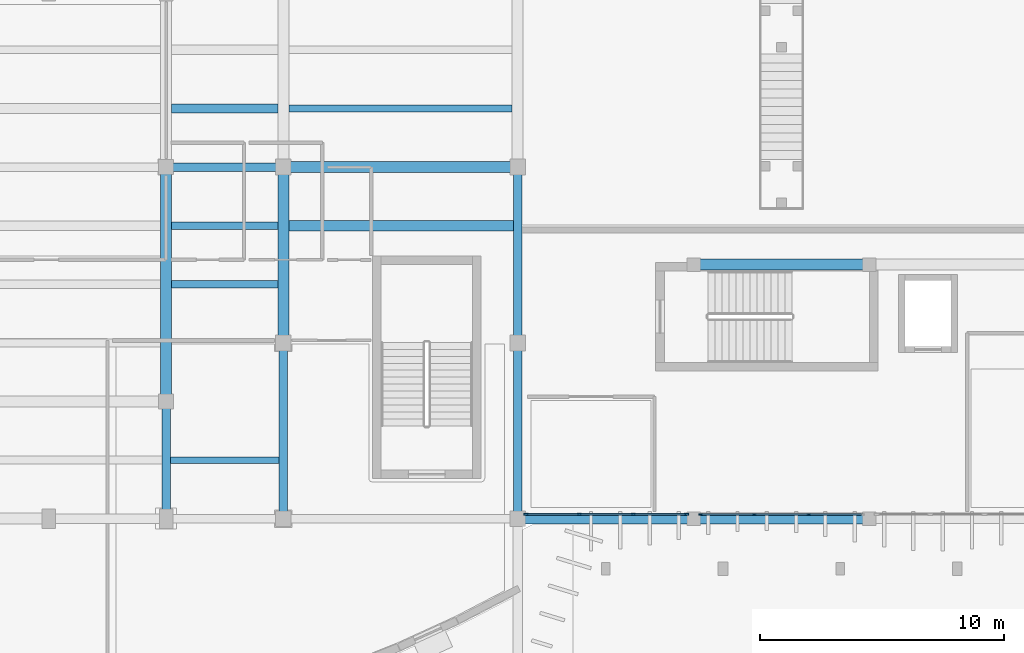
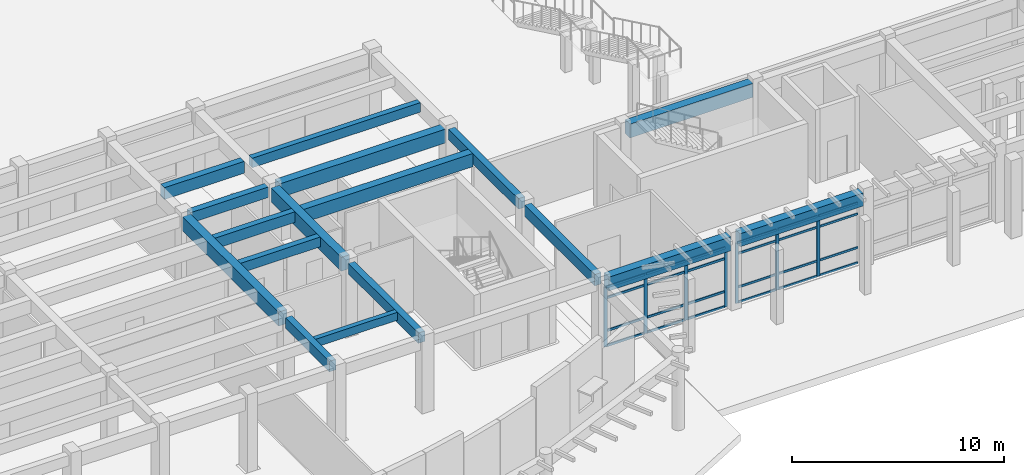
# One storey, part 10 of 58: 31 members, 17 beams, 2 elements without a shape of their own.
"""IFC4 building model written with IfcOpenShell, lengths in metres."""

import ifcopenshell
import ifcopenshell.guid

model = None  # the IFC model being written
_history = None  # IfcOwnerHistory: only IFC2X3 demands one
_inside = {}  # id of a spatial element -> (the spatial element, [elements in it])
_under = {}  # id of a project, library or spatial element -> (it, [spatial elements below it])
_declared = {}  # id of a project -> (the project, [libraries it declares])
_typed = {}  # id of a type object -> (the type object, [elements of that type])
_made_of = {}  # id of a material, layer set ... -> (it, [elements and type objects made of it])


def new_model(schema):
    """Start an empty IFC model of exactly this schema.

    Asked for "IFC4X3", IfcOpenShell would pick the latest addendum, in which some entities
    have other attributes; the version numbers below select the first issue.
    IFC2X3 requires an IfcOwnerHistory on every rooted entity: one is made here for all.
    """
    global model, _history
    if schema == "IFC4X3":
        model = ifcopenshell.file(schema_version=(4, 3, 0, 0))
    else:
        model = ifcopenshell.file(schema=schema)
    _inside.clear()
    _under.clear()
    _declared.clear()
    _typed.clear()
    _made_of.clear()
    _history = None
    if model.schema == "IFC2X3":
        org = make("IfcOrganization", Name="unknown")
        user = make(
            "IfcPersonAndOrganization",
            ThePerson=make("IfcPerson", FamilyName="unknown"),
            TheOrganization=org,
        )
        app = make(
            "IfcApplication",
            ApplicationDeveloper=org,
            Version="unknown",
            ApplicationFullName="unknown",
            ApplicationIdentifier="unknown",
        )
        _history = make(
            "IfcOwnerHistory",
            OwningUser=user,
            OwningApplication=app,
            ChangeAction="ADDED",
            CreationDate=0,
        )
    return model


def make(cls, **values):
    """One entity of the class cls with the attributes given. An attribute that is None is left unset."""
    return model.create_entity(
        cls, **{name: value for name, value in values.items() if value is not None}
    )


def rooted(cls, **values):
    """An entity with a GlobalId (a new one), such as an element, a storey or a relation."""
    return make(cls, GlobalId=ifcopenshell.guid.new(), OwnerHistory=_history, **values)


def si_unit(unit_type, name, prefix=None):
    """IfcSIUnit, for example si_unit("LENGTHUNIT", "METRE", prefix="MILLI")."""
    return make("IfcSIUnit", UnitType=unit_type, Prefix=prefix, Name=name)


def assignment(units):
    """IfcUnitAssignment: the units of a project."""
    return None if units is None else make("IfcUnitAssignment", Units=units)


def point(xyz):
    """IfcCartesianPoint."""
    return None if xyz is None else make("IfcCartesianPoint", Coordinates=xyz)


def direction(xyz):
    """IfcDirection."""
    return None if xyz is None else make("IfcDirection", DirectionRatios=xyz)


def frame(location, z_axis=None, x_axis=None):
    """IfcAxis2Placement3D, a coordinate frame: its origin and axes. An axis left out is left unset."""
    return make(
        "IfcAxis2Placement3D",
        Location=point(location),
        Axis=direction(z_axis),
        RefDirection=direction(x_axis),
    )


def frame_2d(location, x_axis=None):
    """IfcAxis2Placement2D, a coordinate frame in the plane: its origin and x axis."""
    return make(
        "IfcAxis2Placement2D", Location=point(location), RefDirection=direction(x_axis)
    )


def origin():
    """The frame at (0, 0, 0) with its axes left unset."""
    return frame((0.0, 0.0, 0.0))


def origin_2d():
    """The frame at (0, 0) in the plane with its x axis left unset."""
    return frame_2d((0.0, 0.0))


def place(relative_to, where):
    """IfcLocalPlacement: puts the frame where relative to a parent placement (None: the world)."""
    return make(
        "IfcLocalPlacement", PlacementRelTo=relative_to, RelativePlacement=where
    )


def context(
    kind, dimensions, precision=None, world=None, true_north=None, identifier=None
):
    """IfcGeometricRepresentationContext, for example the 3D "Model" context."""
    return make(
        "IfcGeometricRepresentationContext",
        ContextIdentifier=identifier,
        ContextType=kind,
        CoordinateSpaceDimension=dimensions,
        Precision=precision,
        WorldCoordinateSystem=world,
        TrueNorth=true_north,
    )


def subcontext(parent, identifier, kind, view, scale=None):
    """IfcGeometricRepresentationSubContext, for example "Body" below "Model"."""
    return make(
        "IfcGeometricRepresentationSubContext",
        ContextIdentifier=identifier,
        ContextType=kind,
        ParentContext=parent,
        TargetScale=scale,
        TargetView=view,
    )


def project(units=None, contexts=None):
    """IfcProject with its units and contexts."""
    return rooted(
        "IfcProject",
        Name="project",
        RepresentationContexts=contexts,
        UnitsInContext=assignment(units),
    )


def spatial(cls, under=None, at=None, **own):
    """A site, building, storey or space (cls), placed at a placement, below another one or the project."""
    s = rooted(cls, ObjectPlacement=at, **own)
    if under is not None:
        _under.setdefault(under.id(), (under, []))[1].append(s)
    return s


def profile(cls, at=None, kind="AREA", **sizes):
    """A parametric profile (cls). Its sizes go by their IFC names, for example OverallWidth=200.0."""
    return make(cls, ProfileType=kind, Position=at, **sizes)


def rectangle(**sizes):
    """IfcRectangleProfileDef."""
    return profile("IfcRectangleProfileDef", **sizes)


def extrude(swept, where, along, depth):
    """IfcExtrudedAreaSolid: the profile swept, set in the frame where, extruded along a direction by depth."""
    return make(
        "IfcExtrudedAreaSolid",
        SweptArea=swept,
        Position=where,
        ExtrudedDirection=direction(along),
        Depth=depth,
    )


def shape(context_of_items, identifier, shape_type, items):
    """IfcShapeRepresentation: the items that make up one representation, for example the "Body"."""
    return make(
        "IfcShapeRepresentation",
        ContextOfItems=context_of_items,
        RepresentationIdentifier=identifier,
        RepresentationType=shape_type,
        Items=items,
    )


def material(Name=None, Category=None):
    """IfcMaterial."""
    return make("IfcMaterial", Name=Name, Category=Category)


def layer(
    of_material, thickness, ventilated=None, Name=None, Category=None, Priority=None
):
    """IfcMaterialLayer: one layer of a wall or slab, of a material (None: an air gap)."""
    return make(
        "IfcMaterialLayer",
        Material=of_material,
        LayerThickness=thickness,
        IsVentilated=ventilated,
        Name=Name,
        Category=Category,
        Priority=Priority,
    )


def layer_set(layers, Name=None):
    """IfcMaterialLayerSet."""
    return make("IfcMaterialLayerSet", MaterialLayers=layers, LayerSetName=Name)


def material_profile(
    of_material, cross_section, Name=None, Category=None, Priority=None
):
    """IfcMaterialProfile: a cross section and its material."""
    return make(
        "IfcMaterialProfile",
        Name=Name,
        Material=of_material,
        Profile=cross_section,
        Priority=Priority,
        Category=Category,
    )


def profile_set(profiles, Name=None, composite=None):
    """IfcMaterialProfileSet."""
    return make(
        "IfcMaterialProfileSet",
        Name=Name,
        MaterialProfiles=profiles,
        CompositeProfile=composite,
    )


def made_of(thing, what):
    """Note that an element or type object is made of a material, layer set ...; save() writes the relation."""
    if what is not None:
        _made_of.setdefault(what.id(), (what, []))[1].append(thing)
    return thing


def type_object(cls, material=None, **own):
    """A type object (cls), such as IfcWallType, which elements share."""
    return made_of(rooted(cls, **own), material)


def element(
    cls,
    number,
    at=None,
    inside=None,
    cuts=None,
    type_object=None,
    material=None,
    context=None,
    identifier="Body",
    shape_type=None,
    held_by="IfcProductDefinitionShape",
    body=None,
    shapes=None,
    **own,
):
    """One element of the class cls, such as IfcWall. Its Tag is "e" and its number.

    at: its placement. inside: the storey or other place that contains it. cuts: it is an
    opening in that element (IfcRelVoidsElement). A single representation is given by context,
    identifier, shape_type and body (its items); several are given by shapes. held_by: the class
    of the entity that holds the representations. save() writes the other relations.
    """
    e = rooted(cls, Tag="e%d" % number, ObjectPlacement=at, **own)
    if body is not None:
        shapes = [shape(context, identifier, shape_type, body)]
    if shapes is not None:
        e.Representation = make(held_by, Representations=shapes)
    if inside is not None:
        _inside.setdefault(inside.id(), (inside, []))[1].append(e)
    if cuts is not None:
        rooted(
            "IfcRelVoidsElement", RelatingBuildingElement=cuts, RelatedOpeningElement=e
        )
    if type_object is not None:
        _typed.setdefault(type_object.id(), (type_object, []))[1].append(e)
    return made_of(e, material)


def aggregate(whole, parts):
    """IfcRelAggregates: a whole, such as a stair, and the parts it consists of."""
    return rooted("IfcRelAggregates", RelatingObject=whole, RelatedObjects=parts)


def save(model, path):
    """Write the relations noted so far, then the file.

    IfcRelAggregates (storeys below a building ...), IfcRelContainedInSpatialStructure (elements
    in a storey), IfcRelDefinesByType, IfcRelAssociatesMaterial and IfcRelDeclares: one each for
    every whole, place, type object, material and project.
    """
    for whole, parts in _under.values():
        aggregate(whole, parts)
    for where, things in _inside.values():
        rooted(
            "IfcRelContainedInSpatialStructure",
            RelatedElements=things,
            RelatingStructure=where,
        )
    for kind, things in _typed.values():
        rooted("IfcRelDefinesByType", RelatedObjects=things, RelatingType=kind)
    for what, things in _made_of.values():
        rooted("IfcRelAssociatesMaterial", RelatedObjects=things, RelatingMaterial=what)
    for by, libraries in _declared.values():
        rooted("IfcRelDeclares", RelatingContext=by, RelatedDefinitions=libraries)
    model.write(path)


model = new_model("IFC4")

# Units and contexts
model_context = context("Model", 3, precision=1e-05, world=origin(), true_north=direction((0.0, 1.0)))
body_context = subcontext(model_context, "Body", "Model", "MODEL_VIEW")
ifc_project = project(units=[si_unit("LENGTHUNIT", "METRE"), si_unit("AREAUNIT", "SQUARE_METRE"), si_unit("VOLUMEUNIT", "CUBIC_METRE"), si_unit("PLANEANGLEUNIT", "RADIAN"), si_unit("MASSUNIT", "GRAM", prefix="KILO")], contexts=[model_context])

# Site, building, storey
site_placement = place(None, origin())
site = spatial("IfcSite", under=ifc_project, at=site_placement, CompositionType="ELEMENT")
building_placement = place(site_placement, origin())
building = spatial("IfcBuilding", under=site, at=building_placement, Name="Brisavento Harbour Community Centre", CompositionType="ELEMENT")
storey_placement = place(building_placement, origin())
storey = spatial("IfcBuildingStorey", under=building, at=storey_placement, Name="L00", CompositionType="ELEMENT", Elevation=0.0)

# Beams
ifc_material_1 = material(Name="Concrete C35/45", Category="concrete")
ifc_material_profile_1 = material_profile(ifc_material_1, rectangle(XDim=0.260009765625, YDim=0.4599609375, at=origin_2d()), Name="Concrete C35/45")
ifc_profile_set_1 = profile_set([ifc_material_profile_1], Name="Concrete C35/45")
beam_type_1 = type_object("IfcBeamType", Name="BM-JST-260x460", PredefinedType="JOIST", material=ifc_profile_set_1)
beam_1_placement = place(storey_placement, frame((36.175048828125, 16.800048828125, 4.010009765625), z_axis=(1.0, 0.0, 0.0), x_axis=(0.0, 1.0, 0.0)))
element("IfcBeam", 1, at=beam_1_placement, inside=storey, type_object=beam_type_1, Name="L00 secondary floor joist 0159", PredefinedType="JOIST", context=body_context, shape_type="SweptSolid", body=[
    extrude(rectangle(XDim=0.260009765625, YDim=0.4599609375, at=origin_2d()), origin(), (0.0, 0.0, 1.0), 4.449951171875),
])
ifc_material_profile_2 = material_profile(ifc_material_1, rectangle(XDim=0.300048828125, YDim=0.550048828125, at=origin_2d()), Name="Concrete C35/45")
ifc_profile_set_2 = profile_set([ifc_material_profile_2], Name="Concrete C35/45")
beam_type_2 = type_object("IfcBeamType", Name="BM-JST-300x550", PredefinedType="JOIST", material=ifc_profile_set_2)
beam_2_placement = place(storey_placement, frame((41.02490234375, 31.199951171875, 3.965087890625), z_axis=(1.0, 0.0, 0.0), x_axis=(0.0, 1.0, 0.0)))
element("IfcBeam", 2, at=beam_2_placement, inside=storey, type_object=beam_type_2, Name="L00 secondary floor joist 0165", PredefinedType="JOIST", context=body_context, shape_type="SweptSolid", body=[
    extrude(rectangle(XDim=0.300048828125, YDim=0.550048828125, at=origin_2d()), origin(), (0.0, 0.0, 1.0), 9.150146484375),
])
ifc_material_profile_3 = material_profile(ifc_material_1, rectangle(XDim=0.320068359375, YDim=0.56005859375, at=origin_2d()), Name="Concrete C35/45")
ifc_profile_set_3 = profile_set([ifc_material_profile_3], Name="Concrete C35/45")
beam_type_3 = type_object("IfcBeamType", Name="BM-JST-320x560", PredefinedType="JOIST", material=ifc_profile_set_3)
beam_3_placement = place(storey_placement, frame((36.22509765625, 24.0, 3.9599609375), z_axis=(1.0, 0.0, 0.0), x_axis=(0.0, 1.0, 0.0)))
element("IfcBeam", 3, at=beam_3_placement, inside=storey, type_object=beam_type_3, Name="L00 secondary floor joist 0160", PredefinedType="JOIST", context=body_context, shape_type="SweptSolid", body=[
    extrude(rectangle(XDim=0.320068359375, YDim=0.56005859375, at=origin_2d()), origin(), (0.0, 0.0, 1.0), 4.349853515625),
])
ifc_material_profile_4 = material_profile(ifc_material_1, rectangle(XDim=0.320068359375, YDim=0.6201171875, at=origin_2d()), Name="Concrete C35/45")
ifc_profile_set_4 = profile_set([ifc_material_profile_4], Name="Concrete C35/45")
beam_type_4 = type_object("IfcBeamType", Name="BM-JST-320x620", PredefinedType="JOIST", material=ifc_profile_set_4)
beam_4_placement = place(storey_placement, frame((36.22509765625, 26.39990234375, 3.929931640625), z_axis=(1.0, 0.0, 0.0), x_axis=(0.0, 1.0, 0.0)))
element("IfcBeam", 4, at=beam_4_placement, inside=storey, type_object=beam_type_4, Name="L00 secondary floor joist 0161", PredefinedType="JOIST", context=body_context, shape_type="SweptSolid", body=[
    extrude(rectangle(XDim=0.320068359375, YDim=0.6201171875, at=origin_2d()), origin(), (0.0, 0.0, 1.0), 4.349853515625),
])
ifc_material_profile_5 = material_profile(ifc_material_1, rectangle(XDim=0.360107421875, YDim=0.679931640625, at=origin_2d()), Name="Concrete C35/45")
ifc_profile_set_5 = profile_set([ifc_material_profile_5], Name="Concrete C35/45")
beam_type_5 = type_object("IfcBeamType", Name="BM-JST-360x680", PredefinedType="JOIST", material=ifc_profile_set_5)
beam_5_placement = place(storey_placement, frame((36.22509765625, 31.199951171875, 3.89990234375), z_axis=(1.0, 0.0, 0.0), x_axis=(0.0, 1.0, 0.0)))
element("IfcBeam", 5, at=beam_5_placement, inside=storey, type_object=beam_type_5, Name="L00 secondary floor joist 0162", PredefinedType="JOIST", context=body_context, shape_type="SweptSolid", body=[
    extrude(rectangle(XDim=0.360107421875, YDim=0.679931640625, at=origin_2d()), origin(), (0.0, 0.0, 1.0), 4.349853515625),
])
ifc_material_profile_6 = material_profile(ifc_material_1, rectangle(XDim=0.419921875, YDim=0.760009765625, at=origin_2d()), Name="Concrete C35/45")
ifc_profile_set_6 = profile_set([ifc_material_profile_6], Name="Concrete C35/45")
beam_type_6 = type_object("IfcBeamType", Name="BM-JST-420x760", PredefinedType="JOIST", material=ifc_profile_set_6)
beam_6_placement = place(storey_placement, frame((41.02490234375, 26.39990234375, 3.860107421875), z_axis=(1.0, 0.0, 0.0), x_axis=(0.0, 1.0, 0.0)))
element("IfcBeam", 6, at=beam_6_placement, inside=storey, type_object=beam_type_6, Name="L00 secondary floor joist 0164", PredefinedType="JOIST", context=body_context, shape_type="SweptSolid", body=[
    extrude(rectangle(XDim=0.419921875, YDim=0.760009765625, at=origin_2d()), origin(), (0.0, 0.0, 1.0), 9.2001953125),
])
ifc_material_profile_7 = material_profile(ifc_material_1, rectangle(XDim=0.35009765625, YDim=0.60009765625, at=origin_2d()), Name="Concrete C35/45")
ifc_profile_set_7 = profile_set([ifc_material_profile_7], Name="Concrete C35/45")
beam_type_7 = type_object("IfcBeamType", Name="BM-RC-350x600", PredefinedType="BEAM", material=ifc_profile_set_7)
beam_7_placement = place(storey_placement, frame((36.27001953125, 28.800048828125, 3.93994140625), z_axis=(1.0, 0.0, 0.0), x_axis=(0.0, 1.0, 0.0)))
element("IfcBeam", 7, at=beam_7_placement, inside=storey, type_object=beam_type_7, Name="L00 primary girder X0279", PredefinedType="BEAM", context=body_context, shape_type="SweptSolid", body=[
    extrude(rectangle(XDim=0.35009765625, YDim=0.60009765625, at=origin_2d()), origin(), (0.0, 0.0, 1.0), 4.23486328125),
])
beam_8_placement = place(storey_placement, frame((36.0, 14.77001953125, 3.93994140625), z_axis=(0.0, 1.0, 0.0), x_axis=(-1.0, 0.0, 0.0)))
element("IfcBeam", 8, at=beam_8_placement, inside=storey, type_object=beam_type_7, Name="L00 primary girder Y0344", PredefinedType="BEAM", context=body_context, shape_type="SweptSolid", body=[
    extrude(rectangle(XDim=0.35009765625, YDim=0.60009765625, at=origin_2d()), origin(), (0.0, 0.0, 1.0), 4.159912109375),
])
for number, where, z_axis, x_axis, name in (
    (9, (40.800048828125, 14.695068359375, 3.93994140625), (0.0, 1.0, 0.0), (-1.0, 0.0, 0.0), "L00 primary girder Y0349"),
    (10, (50.39990234375, 21.89501953125, 3.93994140625), (0.0, 1.0, 0.0), (-1.0, 0.0, 0.0), "L00 primary girder Y0354"),
):
    element("IfcBeam", number, at=place(storey_placement, frame(where, z_axis=z_axis, x_axis=x_axis)), inside=storey, type_object=beam_type_7, Name=name, PredefinedType="BEAM", context=body_context, shape_type="SweptSolid", body=[
        extrude(rectangle(XDim=0.35009765625, YDim=0.60009765625, at=origin_2d()), origin(), (0.0, 0.0, 1.0), 6.60986328125),
    ])
ifc_material_profile_8 = material_profile(ifc_material_1, rectangle(XDim=0.35009765625, YDim=0.64990234375, at=origin_2d()), Name="Concrete C35/45")
ifc_profile_set_8 = profile_set([ifc_material_profile_8], Name="Concrete C35/45")
beam_type_8 = type_object("IfcBeamType", Name="BM-RC-350x650", PredefinedType="BEAM", material=ifc_profile_set_8)
beam_9_placement = place(storey_placement, frame((50.39990234375, 14.695068359375, 3.9150390625), z_axis=(0.0, 1.0, 0.0), x_axis=(-1.0, 0.0, 0.0)))
element("IfcBeam", 11, at=beam_9_placement, inside=storey, type_object=beam_type_8, Name="L00 primary girder Y0353", PredefinedType="BEAM", context=body_context, shape_type="SweptSolid", body=[
    extrude(rectangle(XDim=0.35009765625, YDim=0.64990234375, at=origin_2d()), origin(), (0.0, 0.0, 1.0), 6.60986328125),
])
ifc_material_profile_9 = material_profile(ifc_material_1, rectangle(XDim=0.449951171875, YDim=0.75, at=origin_2d()), Name="Concrete C35/45")
ifc_profile_set_9 = profile_set([ifc_material_profile_9], Name="Concrete C35/45")
beam_type_9 = type_object("IfcBeamType", Name="BM-RC-450x750", PredefinedType="BEAM", material=ifc_profile_set_9)
beam_10_placement = place(storey_placement, frame((57.844970703125, 14.39990234375, 3.864990234375), z_axis=(1.0, 0.0, 0.0), x_axis=(0.0, 1.0, 0.0)))
element("IfcBeam", 12, at=beam_10_placement, inside=storey, type_object=beam_type_9, Name="L00 primary girder X0236", PredefinedType="BEAM", context=body_context, shape_type="SweptSolid", body=[
    extrude(rectangle(XDim=0.449951171875, YDim=0.75, at=origin_2d()), origin(), (0.0, 0.0, 1.0), 6.7099609375),
])
ifc_material_profile_10 = material_profile(ifc_material_1, rectangle(XDim=0.449951171875, YDim=0.800048828125, at=origin_2d()), Name="Concrete C35/45")
ifc_profile_set_10 = profile_set([ifc_material_profile_10], Name="Concrete C35/45")
beam_type_10 = type_object("IfcBeamType", Name="BM-RC-450x800", PredefinedType="BEAM", material=ifc_profile_set_10)
beam_11_placement = place(storey_placement, frame((50.695068359375, 14.39990234375, 3.840087890625), z_axis=(1.0, 0.0, 0.0), x_axis=(0.0, 1.0, 0.0)))
element("IfcBeam", 13, at=beam_11_placement, inside=storey, type_object=beam_type_10, Name="L00 primary girder X0235", PredefinedType="BEAM", context=body_context, shape_type="SweptSolid", body=[
    extrude(rectangle(XDim=0.449951171875, YDim=0.800048828125, at=origin_2d()), origin(), (0.0, 0.0, 1.0), 6.659912109375),
])
beam_12_placement = place(storey_placement, frame((57.844970703125, 24.800048828125, 3.840087890625), z_axis=(1.0, 0.0, 0.0), x_axis=(0.0, 1.0, 0.0)))
element("IfcBeam", 14, at=beam_12_placement, inside=storey, type_object=beam_type_10, Name="L00 primary girder X0260", PredefinedType="BEAM", context=body_context, shape_type="SweptSolid", body=[
    extrude(rectangle(XDim=0.449951171875, YDim=0.800048828125, at=origin_2d()), origin(), (0.0, 0.0, 1.0), 6.7099609375),
])
beam_13_placement = place(storey_placement, frame((41.094970703125, 28.800048828125, 3.840087890625), z_axis=(1.0, 0.0, 0.0), x_axis=(0.0, 1.0, 0.0)))
element("IfcBeam", 15, at=beam_13_placement, inside=storey, type_object=beam_type_10, Name="L00 primary girder X0280", PredefinedType="BEAM", context=body_context, shape_type="SweptSolid", body=[
    extrude(rectangle(XDim=0.449951171875, YDim=0.800048828125, at=origin_2d()), origin(), (0.0, 0.0, 1.0), 9.010009765625),
])
beam_14_placement = place(storey_placement, frame((36.0, 19.469970703125, 3.840087890625), z_axis=(0.0, 1.0, 0.0), x_axis=(-1.0, 0.0, 0.0)))
element("IfcBeam", 16, at=beam_14_placement, inside=storey, type_object=beam_type_10, Name="L00 primary girder Y0345", PredefinedType="BEAM", context=body_context, shape_type="SweptSolid", body=[
    extrude(rectangle(XDim=0.449951171875, YDim=0.800048828125, at=origin_2d()), origin(), (0.0, 0.0, 1.0), 9.06005859375),
])
beam_15_placement = place(storey_placement, frame((40.800048828125, 21.89501953125, 3.840087890625), z_axis=(0.0, 1.0, 0.0), x_axis=(-1.0, 0.0, 0.0)))
element("IfcBeam", 17, at=beam_15_placement, inside=storey, type_object=beam_type_10, Name="L00 primary girder Y0350", PredefinedType="BEAM", context=body_context, shape_type="SweptSolid", body=[
    extrude(rectangle(XDim=0.449951171875, YDim=0.800048828125, at=origin_2d()), origin(), (0.0, 0.0, 1.0), 6.60986328125),
])

# Curtain wall, members
ifc_material_2 = material(Name="Marine-anodised aluminium AW-6063-T6", Category="aluminium")
ifc_layer_1 = layer(ifc_material_2, 0.179931640625, Name="Marine-anodised aluminium AW-6063-T6")
ifc_layer_set_1 = layer_set([ifc_layer_1], Name="Marine-anodised aluminium AW-6063-T6")
curtain_wall_type_1 = type_object("IfcCurtainWallType", Name="CW-SYS-05", PredefinedType="USERDEFINED", material=ifc_layer_set_1)
curtain_wall_1_placement = place(storey_placement, origin())
curtain_wall_1 = element("IfcCurtainWall", 18, at=curtain_wall_1_placement, inside=storey, type_object=curtain_wall_type_1, Name="L00 V2 unitised curtain wall 005", ObjectType="UNITISED CURTAIN WALL", PredefinedType="USERDEFINED")
ifc_material_profile_11 = material_profile(ifc_material_2, rectangle(XDim=0.06494140625, YDim=0.1650390625, at=origin_2d()), Name="Marine-anodised aluminium AW-6063-T6")
ifc_profile_set_11 = profile_set([ifc_material_profile_11], Name="Marine-anodised aluminium AW-6063-T6")
member_type_1 = type_object("IfcMemberType", Name="CWM-01", PredefinedType="MULLION", material=ifc_profile_set_11)
member_1_placement = place(storey_placement, frame((62.313232421875, 14.580078125, 0.0), z_axis=(0.0, 0.0, 1.0), x_axis=(0.0, -1.0, 0.0)))
member_1 = element("IfcMember", 19, at=member_1_placement, type_object=member_type_1, Name="CW-05 mullion 2", PredefinedType="MULLION", context=body_context, shape_type="SweptSolid", body=[
    extrude(rectangle(XDim=0.06494140625, YDim=0.1650390625, at=origin_2d()), origin(), (0.0, 0.0, 1.0), 3.489990234375),
])
member_2_placement = place(storey_placement, frame((60.086669921875, 14.580078125, 0.0), z_axis=(0.0, 0.0, 1.0), x_axis=(0.0, -1.0, 0.0)))
member_2 = element("IfcMember", 20, at=member_2_placement, type_object=member_type_1, Name="CW-05 mullion 3", PredefinedType="MULLION", context=body_context, shape_type="SweptSolid", body=[
    extrude(rectangle(XDim=0.06494140625, YDim=0.1650390625, at=origin_2d()), origin(), (0.0, 0.0, 1.0), 3.489990234375),
])
member_3_placement = place(storey_placement, frame((57.892578125, 14.580078125, 0.0), z_axis=(0.0, 0.0, 1.0), x_axis=(0.0, -1.0, 0.0)))
member_3 = element("IfcMember", 21, at=member_3_placement, type_object=member_type_1, Name="CW-05 mullion 4", PredefinedType="MULLION", context=body_context, shape_type="SweptSolid", body=[
    extrude(rectangle(XDim=0.06494140625, YDim=0.1650390625, at=origin_2d()), origin(), (0.0, 0.0, 1.0), 3.489990234375),
])

ifc_layer_2 = layer(ifc_material_2, 0.179931640625, Name="Marine-anodised aluminium AW-6063-T6")
ifc_layer_set_2 = layer_set([ifc_layer_2], Name="Marine-anodised aluminium AW-6063-T6")
curtain_wall_type_2 = type_object("IfcCurtainWallType", Name="CW-SYS-06", PredefinedType="USERDEFINED", material=ifc_layer_set_2)
curtain_wall_2_placement = place(storey_placement, origin())
curtain_wall_2 = element("IfcCurtainWall", 22, at=curtain_wall_2_placement, inside=storey, type_object=curtain_wall_type_2, Name="L00 V2 unitised curtain wall 006", ObjectType="UNITISED CURTAIN WALL", PredefinedType="USERDEFINED")
ifc_material_profile_12 = material_profile(ifc_material_2, rectangle(XDim=0.070068359375, YDim=0.179931640625, at=origin_2d()), Name="Marine-anodised aluminium AW-6063-T6")
ifc_profile_set_12 = profile_set([ifc_material_profile_12], Name="Marine-anodised aluminium AW-6063-T6")
member_type_2 = type_object("IfcMemberType", Name="CWM-02", PredefinedType="MULLION", material=ifc_profile_set_12)
member_4_placement = place(storey_placement, frame((57.304931640625, 14.580078125, 0.0), z_axis=(0.0, 0.0, 1.0), x_axis=(0.0, -1.0, 0.0)))
member_4 = element("IfcMember", 23, at=member_4_placement, type_object=member_type_2, Name="CW-06 mullion 1", PredefinedType="MULLION", context=body_context, shape_type="SweptSolid", body=[
    extrude(rectangle(XDim=0.070068359375, YDim=0.179931640625, at=origin_2d()), origin(), (0.0, 0.0, 1.0), 3.43994140625),
])
member_5_placement = place(storey_placement, frame((55.1298828125, 14.580078125, 0.0), z_axis=(0.0, 0.0, 1.0), x_axis=(0.0, -1.0, 0.0)))
member_5 = element("IfcMember", 24, at=member_5_placement, type_object=member_type_2, Name="CW-06 mullion 2", PredefinedType="MULLION", context=body_context, shape_type="SweptSolid", body=[
    extrude(rectangle(XDim=0.070068359375, YDim=0.179931640625, at=origin_2d()), origin(), (0.0, 0.0, 1.0), 3.43994140625),
])
member_6_placement = place(storey_placement, frame((52.919921875, 14.580078125, 0.0), z_axis=(0.0, 0.0, 1.0), x_axis=(0.0, -1.0, 0.0)))
member_6 = element("IfcMember", 25, at=member_6_placement, type_object=member_type_2, Name="CW-06 mullion 3", PredefinedType="MULLION", context=body_context, shape_type="SweptSolid", body=[
    extrude(rectangle(XDim=0.070068359375, YDim=0.179931640625, at=origin_2d()), origin(), (0.0, 0.0, 1.0), 3.43994140625),
])
member_7_placement = place(storey_placement, frame((50.7451171875, 14.580078125, 0.0), z_axis=(0.0, 0.0, 1.0), x_axis=(0.0, -1.0, 0.0)))
member_7 = element("IfcMember", 26, at=member_7_placement, type_object=member_type_2, Name="CW-06 mullion 4", PredefinedType="MULLION", context=body_context, shape_type="SweptSolid", body=[
    extrude(rectangle(XDim=0.070068359375, YDim=0.179931640625, at=origin_2d()), origin(), (0.0, 0.0, 1.0), 3.43994140625),
])

# Member
ifc_material_profile_13 = material_profile(ifc_material_2, rectangle(XDim=0.06494140625, YDim=0.125, at=origin_2d()), Name="Marine-anodised aluminium AW-6063-T6")
ifc_profile_set_13 = profile_set([ifc_material_profile_13], Name="Marine-anodised aluminium AW-6063-T6")
member_type_3 = type_object("IfcMemberType", Name="CWT-01", PredefinedType="USERDEFINED", material=ifc_profile_set_13)
member_8_placement = place(storey_placement, frame((64.47509765625, 14.580078125, 0.032470703125), z_axis=(-1.0, 0.0, 0.0), x_axis=(0.0, -1.0, 0.0)))
member_8 = element("IfcMember", 27, at=member_8_placement, type_object=member_type_3, Name="CW-05 transom 1.1", ObjectType="TRANSOM", PredefinedType="USERDEFINED", context=body_context, shape_type="SweptSolid", body=[
    extrude(rectangle(XDim=0.06494140625, YDim=0.125, at=origin_2d()), origin(), (0.0, 0.0, 1.0), 2.129150390625),
])

member_9_placement = place(storey_placement, frame((64.47509765625, 14.580078125, 0.89990234375), z_axis=(-1.0, 0.0, 0.0), x_axis=(0.0, -1.0, 0.0)))
member_9 = element("IfcMember", 28, at=member_9_placement, type_object=member_type_3, Name="CW-05 transom 1.2", ObjectType="TRANSOM", PredefinedType="USERDEFINED", context=body_context, shape_type="SweptSolid", body=[
    extrude(rectangle(XDim=0.06494140625, YDim=0.125, at=origin_2d()), origin(), (0.0, 0.0, 1.0), 2.129150390625),
])

member_10_placement = place(storey_placement, frame((64.47509765625, 14.580078125, 2.840087890625), z_axis=(-1.0, 0.0, 0.0), x_axis=(0.0, -1.0, 0.0)))
member_10 = element("IfcMember", 29, at=member_10_placement, type_object=member_type_3, Name="CW-05 transom 1.3", ObjectType="TRANSOM", PredefinedType="USERDEFINED", context=body_context, shape_type="SweptSolid", body=[
    extrude(rectangle(XDim=0.06494140625, YDim=0.125, at=origin_2d()), origin(), (0.0, 0.0, 1.0), 2.129150390625),
])

member_11_placement = place(storey_placement, frame((64.47509765625, 14.580078125, 3.45751953125), z_axis=(-1.0, 0.0, 0.0), x_axis=(0.0, -1.0, 0.0)))
member_11 = element("IfcMember", 30, at=member_11_placement, type_object=member_type_3, Name="CW-05 transom 1.4", ObjectType="TRANSOM", PredefinedType="USERDEFINED", context=body_context, shape_type="SweptSolid", body=[
    extrude(rectangle(XDim=0.06494140625, YDim=0.125, at=origin_2d()), origin(), (0.0, 0.0, 1.0), 2.129150390625),
])

member_12_placement = place(storey_placement, frame((62.28076171875, 14.580078125, 0.032470703125), z_axis=(-1.0, 0.0, 0.0), x_axis=(0.0, -1.0, 0.0)))
member_12 = element("IfcMember", 31, at=member_12_placement, type_object=member_type_3, Name="CW-05 transom 2.1", ObjectType="TRANSOM", PredefinedType="USERDEFINED", context=body_context, shape_type="SweptSolid", body=[
    extrude(rectangle(XDim=0.06494140625, YDim=0.125, at=origin_2d()), origin(), (0.0, 0.0, 1.0), 2.16162109375),
])

member_13_placement = place(storey_placement, frame((62.28076171875, 14.580078125, 0.89990234375), z_axis=(-1.0, 0.0, 0.0), x_axis=(0.0, -1.0, 0.0)))
member_13 = element("IfcMember", 32, at=member_13_placement, type_object=member_type_3, Name="CW-05 transom 2.2", ObjectType="TRANSOM", PredefinedType="USERDEFINED", context=body_context, shape_type="SweptSolid", body=[
    extrude(rectangle(XDim=0.06494140625, YDim=0.125, at=origin_2d()), origin(), (0.0, 0.0, 1.0), 2.16162109375),
])

member_14_placement = place(storey_placement, frame((62.28076171875, 14.580078125, 2.840087890625), z_axis=(-1.0, 0.0, 0.0), x_axis=(0.0, -1.0, 0.0)))
member_14 = element("IfcMember", 33, at=member_14_placement, type_object=member_type_3, Name="CW-05 transom 2.3", ObjectType="TRANSOM", PredefinedType="USERDEFINED", context=body_context, shape_type="SweptSolid", body=[
    extrude(rectangle(XDim=0.06494140625, YDim=0.125, at=origin_2d()), origin(), (0.0, 0.0, 1.0), 2.16162109375),
])

member_15_placement = place(storey_placement, frame((62.28076171875, 14.580078125, 3.45751953125), z_axis=(-1.0, 0.0, 0.0), x_axis=(0.0, -1.0, 0.0)))
member_15 = element("IfcMember", 34, at=member_15_placement, type_object=member_type_3, Name="CW-05 transom 2.4", ObjectType="TRANSOM", PredefinedType="USERDEFINED", context=body_context, shape_type="SweptSolid", body=[
    extrude(rectangle(XDim=0.06494140625, YDim=0.125, at=origin_2d()), origin(), (0.0, 0.0, 1.0), 2.16162109375),
])

member_16_placement = place(storey_placement, frame((60.05419921875, 14.580078125, 0.032470703125), z_axis=(-1.0, 0.0, 0.0), x_axis=(0.0, -1.0, 0.0)))
member_16 = element("IfcMember", 35, at=member_16_placement, type_object=member_type_3, Name="CW-05 transom 3.1", ObjectType="TRANSOM", PredefinedType="USERDEFINED", context=body_context, shape_type="SweptSolid", body=[
    extrude(rectangle(XDim=0.06494140625, YDim=0.125, at=origin_2d()), origin(), (0.0, 0.0, 1.0), 2.129150390625),
])

member_17_placement = place(storey_placement, frame((60.05419921875, 14.580078125, 0.89990234375), z_axis=(-1.0, 0.0, 0.0), x_axis=(0.0, -1.0, 0.0)))
member_17 = element("IfcMember", 36, at=member_17_placement, type_object=member_type_3, Name="CW-05 transom 3.2", ObjectType="TRANSOM", PredefinedType="USERDEFINED", context=body_context, shape_type="SweptSolid", body=[
    extrude(rectangle(XDim=0.06494140625, YDim=0.125, at=origin_2d()), origin(), (0.0, 0.0, 1.0), 2.129150390625),
])

member_18_placement = place(storey_placement, frame((60.05419921875, 14.580078125, 2.840087890625), z_axis=(-1.0, 0.0, 0.0), x_axis=(0.0, -1.0, 0.0)))
member_18 = element("IfcMember", 37, at=member_18_placement, type_object=member_type_3, Name="CW-05 transom 3.3", ObjectType="TRANSOM", PredefinedType="USERDEFINED", context=body_context, shape_type="SweptSolid", body=[
    extrude(rectangle(XDim=0.06494140625, YDim=0.125, at=origin_2d()), origin(), (0.0, 0.0, 1.0), 2.129150390625),
])

member_19_placement = place(storey_placement, frame((60.05419921875, 14.580078125, 3.45751953125), z_axis=(-1.0, 0.0, 0.0), x_axis=(0.0, -1.0, 0.0)))
member_19 = element("IfcMember", 38, at=member_19_placement, type_object=member_type_3, Name="CW-05 transom 3.4", ObjectType="TRANSOM", PredefinedType="USERDEFINED", context=body_context, shape_type="SweptSolid", body=[
    extrude(rectangle(XDim=0.06494140625, YDim=0.125, at=origin_2d()), origin(), (0.0, 0.0, 1.0), 2.129150390625),
])

aggregate(curtain_wall_1, [member_1, member_2, member_3, member_8, member_9, member_10, member_11, member_12, member_13, member_14, member_15, member_16, member_17, member_18, member_19])

ifc_material_profile_14 = material_profile(ifc_material_2, rectangle(XDim=0.070068359375, YDim=0.132080078125, at=origin_2d()), Name="Marine-anodised aluminium AW-6063-T6")
ifc_profile_set_14 = profile_set([ifc_material_profile_14], Name="Marine-anodised aluminium AW-6063-T6")
member_type_4 = type_object("IfcMemberType", Name="CWT-02", PredefinedType="USERDEFINED", material=ifc_profile_set_14)
member_20_placement = place(storey_placement, frame((57.27001953125, 14.580078125, 0.034912109375), z_axis=(-1.0, 0.0, 0.0), x_axis=(0.0, -1.0, 0.0)))
member_20 = element("IfcMember", 39, at=member_20_placement, type_object=member_type_4, Name="CW-06 transom 1.1", ObjectType="TRANSOM", PredefinedType="USERDEFINED", context=body_context, shape_type="SweptSolid", body=[
    extrude(rectangle(XDim=0.070068359375, YDim=0.132080078125, at=origin_2d()), origin(), (0.0, 0.0, 1.0), 2.10498046875),
])

member_21_placement = place(storey_placement, frame((57.27001953125, 14.580078125, 0.89990234375), z_axis=(-1.0, 0.0, 0.0), x_axis=(0.0, -1.0, 0.0)))
member_21 = element("IfcMember", 40, at=member_21_placement, type_object=member_type_4, Name="CW-06 transom 1.2", ObjectType="TRANSOM", PredefinedType="USERDEFINED", context=body_context, shape_type="SweptSolid", body=[
    extrude(rectangle(XDim=0.070068359375, YDim=0.132080078125, at=origin_2d()), origin(), (0.0, 0.0, 1.0), 2.10498046875),
])

member_22_placement = place(storey_placement, frame((57.27001953125, 14.580078125, 2.7900390625), z_axis=(-1.0, 0.0, 0.0), x_axis=(0.0, -1.0, 0.0)))
member_22 = element("IfcMember", 41, at=member_22_placement, type_object=member_type_4, Name="CW-06 transom 1.3", ObjectType="TRANSOM", PredefinedType="USERDEFINED", context=body_context, shape_type="SweptSolid", body=[
    extrude(rectangle(XDim=0.070068359375, YDim=0.132080078125, at=origin_2d()), origin(), (0.0, 0.0, 1.0), 2.10498046875),
])

member_23_placement = place(storey_placement, frame((57.27001953125, 14.580078125, 3.405029296875), z_axis=(-1.0, 0.0, 0.0), x_axis=(0.0, -1.0, 0.0)))
member_23 = element("IfcMember", 42, at=member_23_placement, type_object=member_type_4, Name="CW-06 transom 1.4", ObjectType="TRANSOM", PredefinedType="USERDEFINED", context=body_context, shape_type="SweptSolid", body=[
    extrude(rectangle(XDim=0.070068359375, YDim=0.132080078125, at=origin_2d()), origin(), (0.0, 0.0, 1.0), 2.10498046875),
])

member_24_placement = place(storey_placement, frame((55.094970703125, 14.580078125, 0.034912109375), z_axis=(-1.0, 0.0, 0.0), x_axis=(0.0, -1.0, 0.0)))
member_24 = element("IfcMember", 43, at=member_24_placement, type_object=member_type_4, Name="CW-06 transom 2.1", ObjectType="TRANSOM", PredefinedType="USERDEFINED", context=body_context, shape_type="SweptSolid", body=[
    extrude(rectangle(XDim=0.070068359375, YDim=0.132080078125, at=origin_2d()), origin(), (0.0, 0.0, 1.0), 2.139892578125),
])

member_25_placement = place(storey_placement, frame((55.094970703125, 14.580078125, 0.89990234375), z_axis=(-1.0, 0.0, 0.0), x_axis=(0.0, -1.0, 0.0)))
member_25 = element("IfcMember", 44, at=member_25_placement, type_object=member_type_4, Name="CW-06 transom 2.2", ObjectType="TRANSOM", PredefinedType="USERDEFINED", context=body_context, shape_type="SweptSolid", body=[
    extrude(rectangle(XDim=0.070068359375, YDim=0.132080078125, at=origin_2d()), origin(), (0.0, 0.0, 1.0), 2.139892578125),
])

member_26_placement = place(storey_placement, frame((55.094970703125, 14.580078125, 2.7900390625), z_axis=(-1.0, 0.0, 0.0), x_axis=(0.0, -1.0, 0.0)))
member_26 = element("IfcMember", 45, at=member_26_placement, type_object=member_type_4, Name="CW-06 transom 2.3", ObjectType="TRANSOM", PredefinedType="USERDEFINED", context=body_context, shape_type="SweptSolid", body=[
    extrude(rectangle(XDim=0.070068359375, YDim=0.132080078125, at=origin_2d()), origin(), (0.0, 0.0, 1.0), 2.139892578125),
])

member_27_placement = place(storey_placement, frame((55.094970703125, 14.580078125, 3.405029296875), z_axis=(-1.0, 0.0, 0.0), x_axis=(0.0, -1.0, 0.0)))
member_27 = element("IfcMember", 46, at=member_27_placement, type_object=member_type_4, Name="CW-06 transom 2.4", ObjectType="TRANSOM", PredefinedType="USERDEFINED", context=body_context, shape_type="SweptSolid", body=[
    extrude(rectangle(XDim=0.070068359375, YDim=0.132080078125, at=origin_2d()), origin(), (0.0, 0.0, 1.0), 2.139892578125),
])

member_28_placement = place(storey_placement, frame((52.885009765625, 14.580078125, 0.034912109375), z_axis=(-1.0, 0.0, 0.0), x_axis=(0.0, -1.0, 0.0)))
member_28 = element("IfcMember", 47, at=member_28_placement, type_object=member_type_4, Name="CW-06 transom 3.1", ObjectType="TRANSOM", PredefinedType="USERDEFINED", context=body_context, shape_type="SweptSolid", body=[
    extrude(rectangle(XDim=0.070068359375, YDim=0.132080078125, at=origin_2d()), origin(), (0.0, 0.0, 1.0), 2.10498046875),
])

member_29_placement = place(storey_placement, frame((52.885009765625, 14.580078125, 0.89990234375), z_axis=(-1.0, 0.0, 0.0), x_axis=(0.0, -1.0, 0.0)))
member_29 = element("IfcMember", 48, at=member_29_placement, type_object=member_type_4, Name="CW-06 transom 3.2", ObjectType="TRANSOM", PredefinedType="USERDEFINED", context=body_context, shape_type="SweptSolid", body=[
    extrude(rectangle(XDim=0.070068359375, YDim=0.132080078125, at=origin_2d()), origin(), (0.0, 0.0, 1.0), 2.10498046875),
])

member_30_placement = place(storey_placement, frame((52.885009765625, 14.580078125, 2.7900390625), z_axis=(-1.0, 0.0, 0.0), x_axis=(0.0, -1.0, 0.0)))
member_30 = element("IfcMember", 49, at=member_30_placement, type_object=member_type_4, Name="CW-06 transom 3.3", ObjectType="TRANSOM", PredefinedType="USERDEFINED", context=body_context, shape_type="SweptSolid", body=[
    extrude(rectangle(XDim=0.070068359375, YDim=0.132080078125, at=origin_2d()), origin(), (0.0, 0.0, 1.0), 2.10498046875),
])

member_31_placement = place(storey_placement, frame((52.885009765625, 14.580078125, 3.405029296875), z_axis=(-1.0, 0.0, 0.0), x_axis=(0.0, -1.0, 0.0)))
member_31 = element("IfcMember", 50, at=member_31_placement, type_object=member_type_4, Name="CW-06 transom 3.4", ObjectType="TRANSOM", PredefinedType="USERDEFINED", context=body_context, shape_type="SweptSolid", body=[
    extrude(rectangle(XDim=0.070068359375, YDim=0.132080078125, at=origin_2d()), origin(), (0.0, 0.0, 1.0), 2.10498046875),
])

aggregate(curtain_wall_2, [member_4, member_5, member_6, member_7, member_20, member_21, member_22, member_23, member_24, member_25, member_26, member_27, member_28, member_29, member_30, member_31])

save(model, "model.ifc")
